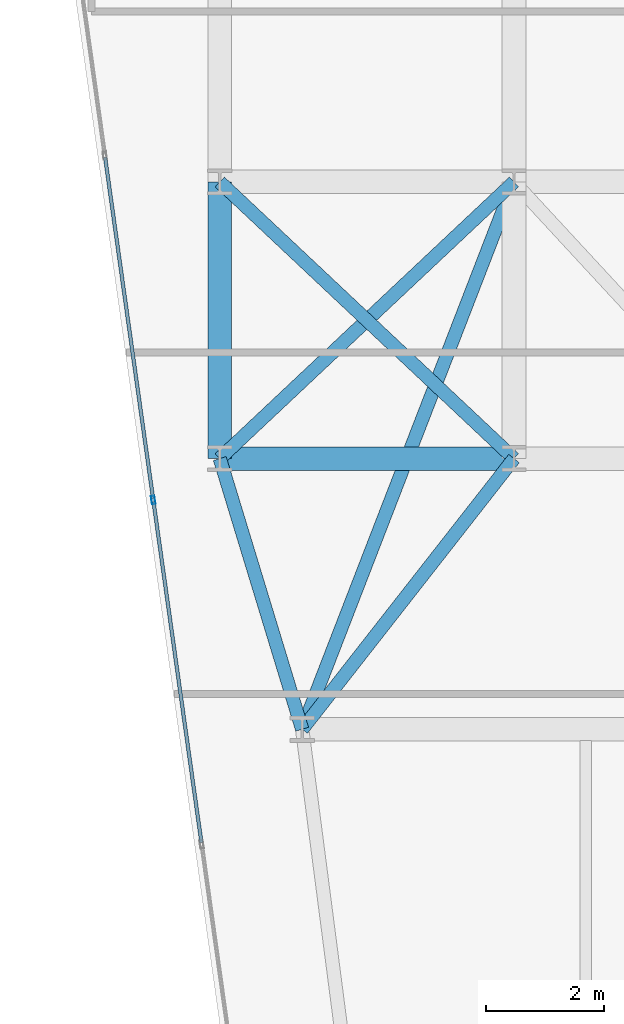
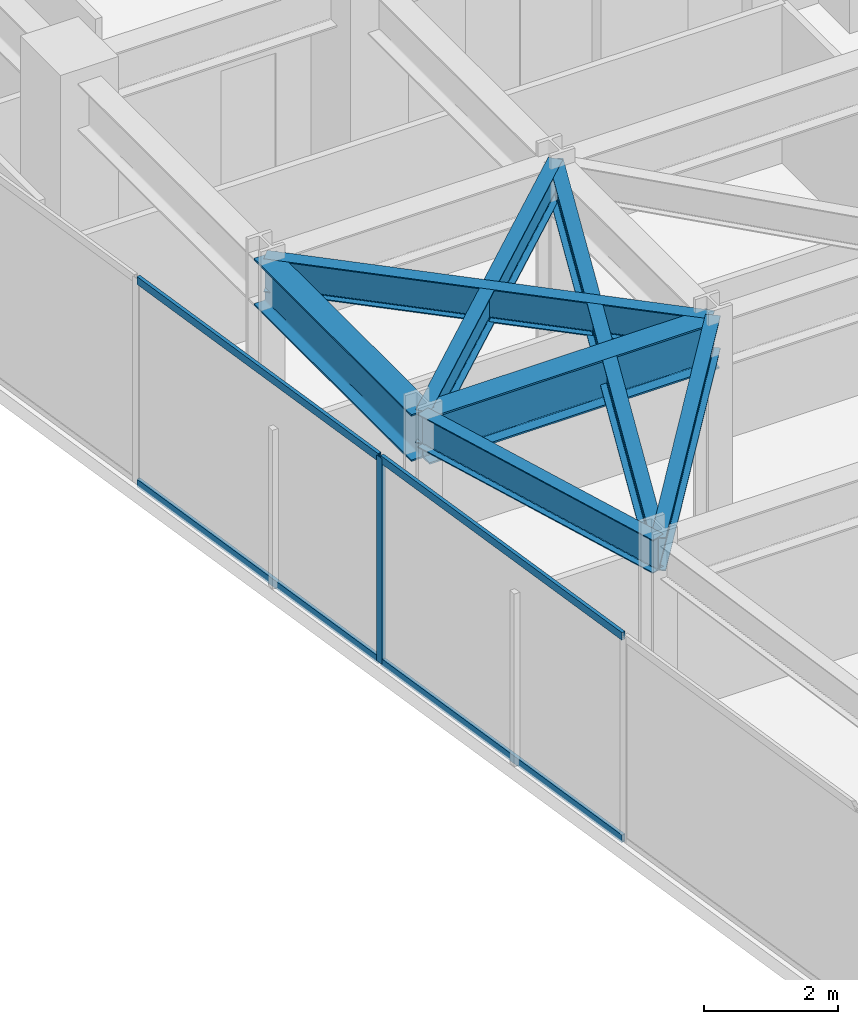
# One storey, part 9 of 26: 7 beams, 5 members, 1 element without a shape of its own.
"""IFC4 building model written with IfcOpenShell, lengths in metres."""

from ifc_helpers import new_model, si_unit, direction, frame, origin, origin_2d, place, context, subcontext, project, spatial, hollow_rectangle, i_section, extrude, material, layer, layer_set, material_profile, profile_set, type_object, element, aggregate, save


model = new_model("IFC4")

# Units and contexts
model_context = context("Model", 3, precision=1e-05, world=origin(), true_north=direction((0.0, 1.0)))
body_context = subcontext(model_context, "Body", "Model", "MODEL_VIEW")
ifc_project = project(units=[si_unit("LENGTHUNIT", "METRE"), si_unit("AREAUNIT", "SQUARE_METRE"), si_unit("VOLUMEUNIT", "CUBIC_METRE"), si_unit("PLANEANGLEUNIT", "RADIAN"), si_unit("MASSUNIT", "GRAM", prefix="KILO")], contexts=[model_context])

# Site, building, storey
site_placement = place(None, origin())
site = spatial("IfcSite", under=ifc_project, at=site_placement, CompositionType="ELEMENT")
building_placement = place(site_placement, origin())
building = spatial("IfcBuilding", under=site, at=building_placement, Name="Kravanh Interchange Tower", CompositionType="ELEMENT")
storey_placement = place(building_placement, frame((0.0, 0.0, 136.0)))
storey = spatial("IfcBuildingStorey", under=building, at=storey_placement, Name="L32", CompositionType="ELEMENT", Elevation=136.0)

# Curtain wall, members
ifc_material_1 = material(Name="Anodised Bronze Aluminium", Category="aluminium")
ifc_layer = layer(ifc_material_1, 0.179931640625)
ifc_layer_set = layer_set([ifc_layer], Name="Unitised Curtain Wall System CW-Z2 Mid Office")
curtain_wall_type = type_object("IfcCurtainWallType", Name="Unitised Curtain Wall System CW-Z2 Mid Office", PredefinedType="NOTDEFINED", material=ifc_layer_set)
curtain_wall_placement = place(storey_placement, origin())
curtain_wall = element("IfcCurtainWall", 1, at=curtain_wall_placement, inside=storey, type_object=curtain_wall_type, Name="L32 Unitised Curtain Wall CW-L32-01", PredefinedType="NOTDEFINED")
ifc_material_2 = material(Name="Anodised Bronze Aluminium", Category="aluminium")
ifc_material_profile_1 = material_profile(ifc_material_2, hollow_rectangle(XDim=0.06005859375, YDim=0.139892578125, WallThickness=0.00390625, at=origin_2d()), Name="ALU60X140X4")
ifc_profile_set_1 = profile_set([ifc_material_profile_1], Name="Anodised Bronze Aluminium")
member_type_1 = type_object("IfcMemberType", Name="Curtain Wall Mullion ALU60X140X4 Bronze", PredefinedType="MULLION", material=ifc_profile_set_1)
member_1_placement = place(storey_placement, frame((12.469970703125, 26.095458984375, 0.0), z_axis=(0.0, 0.0, 1.0), x_axis=(-0.990268103846, -0.13917285118, 0.0)))
member_1 = element("IfcMember", 2, at=member_1_placement, type_object=member_type_1, Name="CW-Z2 mullion 4", PredefinedType="MULLION", context=body_context, shape_type="SweptSolid", body=[
    extrude(hollow_rectangle(XDim=0.06005859375, YDim=0.139892578125, WallThickness=0.00390625, at=origin_2d()), origin(), (0.0, 0.0, 1.0), 3.75),
])
ifc_material_3 = material(Name="Anodised Bronze Aluminium", Category="aluminium")
ifc_material_profile_2 = material_profile(ifc_material_3, hollow_rectangle(XDim=0.06005859375, YDim=0.139892578125, WallThickness=0.00390625, at=origin_2d()), Name="ALU60X140X4")
ifc_profile_set_2 = profile_set([ifc_material_profile_2], Name="Anodised Bronze Aluminium")
member_type_2 = type_object("IfcMemberType", Name="Curtain Wall Transom ALU60X140X4 Bronze", PredefinedType="USERDEFINED", material=ifc_profile_set_2)
member_2_placement = place(storey_placement, frame((13.288330078125, 20.27294921875, 0.030029296875), z_axis=(-0.13918896503, 0.990265839062, 0.0), x_axis=(-0.990265839062, -0.13918896503, 0.0)))
member_2 = element("IfcMember", 3, at=member_2_placement, type_object=member_type_2, Name="CW-Z2 transom 3.1", ObjectType="TRANSOM", PredefinedType="USERDEFINED", context=body_context, shape_type="SweptSolid", body=[
    extrude(hollow_rectangle(XDim=0.06005859375, YDim=0.139892578125, WallThickness=0.00390625, at=origin_2d()), origin(), (0.0, 0.0, 1.0), 5.849609375),
])
member_3_placement = place(storey_placement, frame((13.288330078125, 20.27294921875, 3.719970703125), z_axis=(-0.13918896503, 0.990265839062, 0.0), x_axis=(-0.990265839062, -0.13918896503, 0.0)))
member_3 = element("IfcMember", 4, at=member_3_placement, type_object=member_type_2, Name="CW-Z2 transom 3.2", ObjectType="TRANSOM", PredefinedType="USERDEFINED", context=body_context, shape_type="SweptSolid", body=[
    extrude(hollow_rectangle(XDim=0.06005859375, YDim=0.139892578125, WallThickness=0.00390625, at=origin_2d()), origin(), (0.0, 0.0, 1.0), 5.849609375),
])
member_4_placement = place(storey_placement, frame((12.4658203125, 26.125244140625, 0.030029296875), z_axis=(-0.13918896503, 0.990265839062, 0.0), x_axis=(-0.990265839062, -0.13918896503, 0.0)))
member_4 = element("IfcMember", 5, at=member_4_placement, type_object=member_type_2, Name="CW-Z2 transom 4.1", ObjectType="TRANSOM", PredefinedType="USERDEFINED", context=body_context, shape_type="SweptSolid", body=[
    extrude(hollow_rectangle(XDim=0.06005859375, YDim=0.139892578125, WallThickness=0.00390625, at=origin_2d()), origin(), (0.0, 0.0, 1.0), 5.849609375),
])
member_5_placement = place(storey_placement, frame((12.4658203125, 26.125244140625, 3.719970703125), z_axis=(-0.13918896503, 0.990265839062, 0.0), x_axis=(-0.990265839062, -0.13918896503, 0.0)))
member_5 = element("IfcMember", 6, at=member_5_placement, type_object=member_type_2, Name="CW-Z2 transom 4.2", ObjectType="TRANSOM", PredefinedType="USERDEFINED", context=body_context, shape_type="SweptSolid", body=[
    extrude(hollow_rectangle(XDim=0.06005859375, YDim=0.139892578125, WallThickness=0.00390625, at=origin_2d()), origin(), (0.0, 0.0, 1.0), 5.849609375),
])
aggregate(curtain_wall, [member_1, member_2, member_3, member_4, member_5])

# Beams
ifc_material_4 = material(Name="Structural Steel S355", Category="steel")
ifc_material_profile_3 = material_profile(ifc_material_4, i_section(OverallWidth=0.39990234375, OverallDepth=0.85595703125, WebThickness=0.018310546875, FlangeThickness=0.029296875, FilletRadius=0.02490234375, at=origin_2d()), Name="W33X201")
ifc_profile_set_3 = profile_set([ifc_material_profile_3], Name="Structural Steel S355")
beam_type_1 = type_object("IfcBeamType", Name="Floor Beam W33X201 Structural Steel S355", PredefinedType="BEAM", material=ifc_profile_set_3)
beam_1_placement = place(storey_placement, frame((13.60009765625, 26.800048828125, 3.322021484375), z_axis=(0.0, 1.0, 0.0), x_axis=(-1.0, 0.0, 0.0)))
element("IfcBeam", 7, at=beam_1_placement, inside=storey, type_object=beam_type_1, Name="L32 Primary Floor Girder 37", PredefinedType="BEAM", context=body_context, shape_type="SweptSolid", body=[
    extrude(i_section(OverallWidth=0.39990234375, OverallDepth=0.85595703125, WebThickness=0.018310546875, FlangeThickness=0.029296875, FilletRadius=0.02490234375, at=origin_2d()), origin(), (0.0, 0.0, 1.0), 4.699951171875),
])
beam_2_placement = place(storey_placement, frame((13.60009765625, 26.800048828125, 3.322021484375), z_axis=(1.0, 0.0, 0.0), x_axis=(0.0, 1.0, 0.0)))
element("IfcBeam", 8, at=beam_2_placement, inside=storey, type_object=beam_type_1, Name="L32 Primary Floor Girder 39", PredefinedType="BEAM", context=body_context, shape_type="SweptSolid", body=[
    extrude(i_section(OverallWidth=0.39990234375, OverallDepth=0.85595703125, WebThickness=0.018310546875, FlangeThickness=0.029296875, FilletRadius=0.02490234375, at=origin_2d()), origin(), (0.0, 0.0, 1.0), 5.0),
])
ifc_material_5 = material(Name="Structural Steel S355", Category="steel")
ifc_material_profile_4 = material_profile(ifc_material_5, i_section(OverallWidth=0.22802734375, OverallDepth=0.60791015625, WebThickness=0.01123046875, FlangeThickness=0.017333984375, FilletRadius=0.02197265625, at=origin_2d()), Name="W24X76")
ifc_profile_set_4 = profile_set([ifc_material_profile_4], Name="Structural Steel S355")
beam_type_2 = type_object("IfcBeamType", Name="Floor Spandrel W24X76 Structural Steel S355", PredefinedType="SPANDREL", material=ifc_profile_set_4)
beam_3_placement = place(storey_placement, frame((13.60009765625, 26.800048828125, 3.446044921875), z_axis=(0.291137370727, -0.956681259023, 0.0), x_axis=(0.956681259023, 0.291137370727, 0.0)))
element("IfcBeam", 9, at=beam_3_placement, inside=storey, type_object=beam_type_2, Name="L32 Perimeter Spandrel 38", PredefinedType="SPANDREL", context=body_context, shape_type="SweptSolid", body=[
    extrude(i_section(OverallWidth=0.22802734375, OverallDepth=0.60791015625, WebThickness=0.01123046875, FlangeThickness=0.017333984375, FilletRadius=0.02197265625, at=origin_2d()), origin(), (0.0, 0.0, 1.0), 4.808349609375),
])
beam_4_placement = place(storey_placement, frame((13.60009765625, 26.800048828125, 3.446044921875), z_axis=(0.728631219862, 0.684906231131, 0.0), x_axis=(-0.684906231131, 0.728631219862, 0.0)))
element("IfcBeam", 10, at=beam_4_placement, inside=storey, type_object=beam_type_2, Name="L32 Perimeter Spandrel 40", PredefinedType="SPANDREL", context=body_context, shape_type="SweptSolid", body=[
    extrude(i_section(OverallWidth=0.22802734375, OverallDepth=0.60791015625, WebThickness=0.01123046875, FlangeThickness=0.017333984375, FilletRadius=0.02197265625, at=origin_2d()), origin(), (0.0, 0.0, 1.0), 6.862060546875),
])
beam_5_placement = place(storey_placement, frame((18.60009765625, 26.800048828125, 3.446044921875), z_axis=(-0.616310515553, -0.787503237085, 0.0), x_axis=(0.787503237085, -0.616310515553, 0.0)))
element("IfcBeam", 11, at=beam_5_placement, inside=storey, type_object=beam_type_2, Name="L32 Perimeter Spandrel 42", PredefinedType="SPANDREL", context=body_context, shape_type="SweptSolid", body=[
    extrude(i_section(OverallWidth=0.22802734375, OverallDepth=0.60791015625, WebThickness=0.01123046875, FlangeThickness=0.017333984375, FilletRadius=0.02197265625, at=origin_2d()), origin(), (0.0, 0.0, 1.0), 5.84130859375),
])
beam_6_placement = place(storey_placement, frame((18.60009765625, 26.800048828125, 3.446044921875), z_axis=(-0.728631219862, 0.684906231131, 0.0), x_axis=(-0.684906231131, -0.728631219862, 0.0)))
element("IfcBeam", 12, at=beam_6_placement, inside=storey, type_object=beam_type_2, Name="L32 Perimeter Spandrel 43", PredefinedType="SPANDREL", context=body_context, shape_type="SweptSolid", body=[
    extrude(i_section(OverallWidth=0.22802734375, OverallDepth=0.60791015625, WebThickness=0.01123046875, FlangeThickness=0.017333984375, FilletRadius=0.02197265625, at=origin_2d()), origin(), (0.0, 0.0, 1.0), 6.862060546875),
])
beam_7_placement = place(storey_placement, frame((18.60009765625, 31.5, 3.446044921875), z_axis=(-0.3610009706, -0.932565439648, 0.0), x_axis=(0.932565439648, -0.3610009706, 0.0)))
element("IfcBeam", 13, at=beam_7_placement, inside=storey, type_object=beam_type_2, Name="L32 Perimeter Spandrel 72", PredefinedType="SPANDREL", context=body_context, shape_type="SweptSolid", body=[
    extrude(i_section(OverallWidth=0.22802734375, OverallDepth=0.60791015625, WebThickness=0.01123046875, FlangeThickness=0.017333984375, FilletRadius=0.02197265625, at=origin_2d()), origin(), (0.0, 0.0, 1.0), 9.97265625),
])

save(model, "model.ifc")
